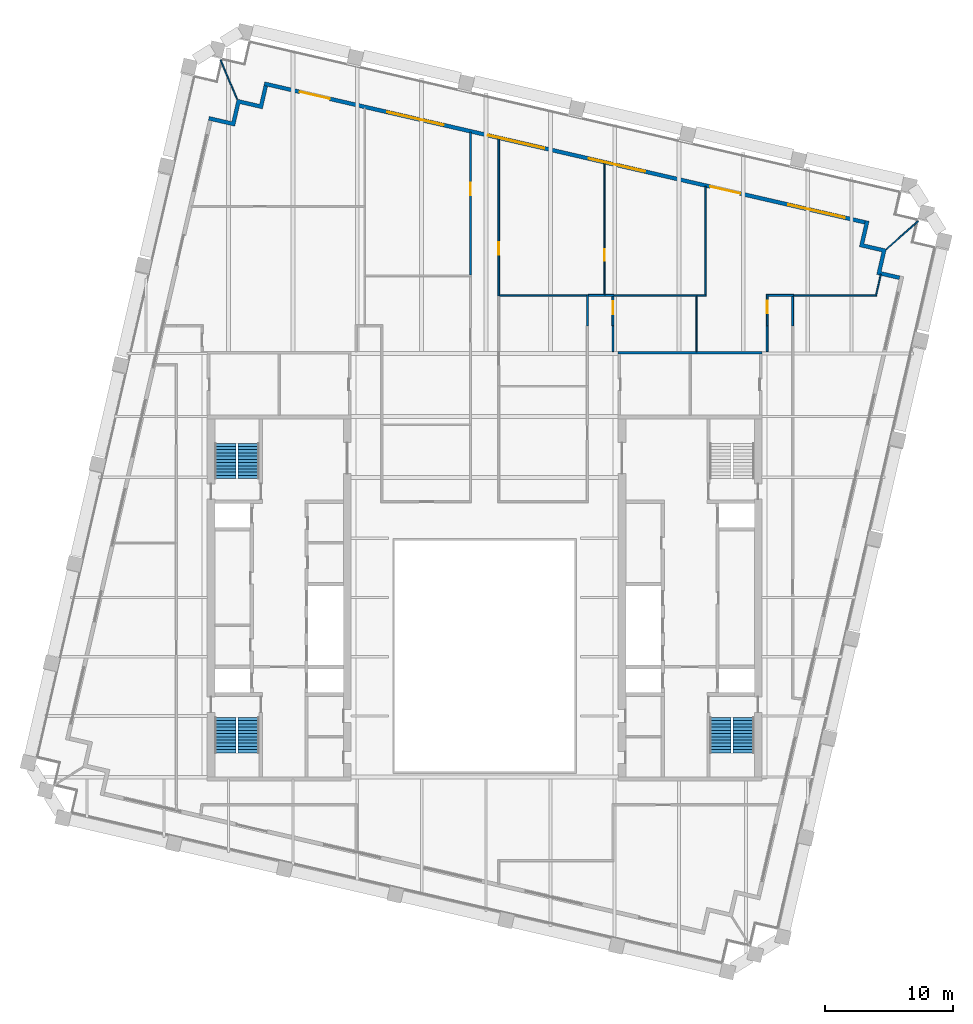
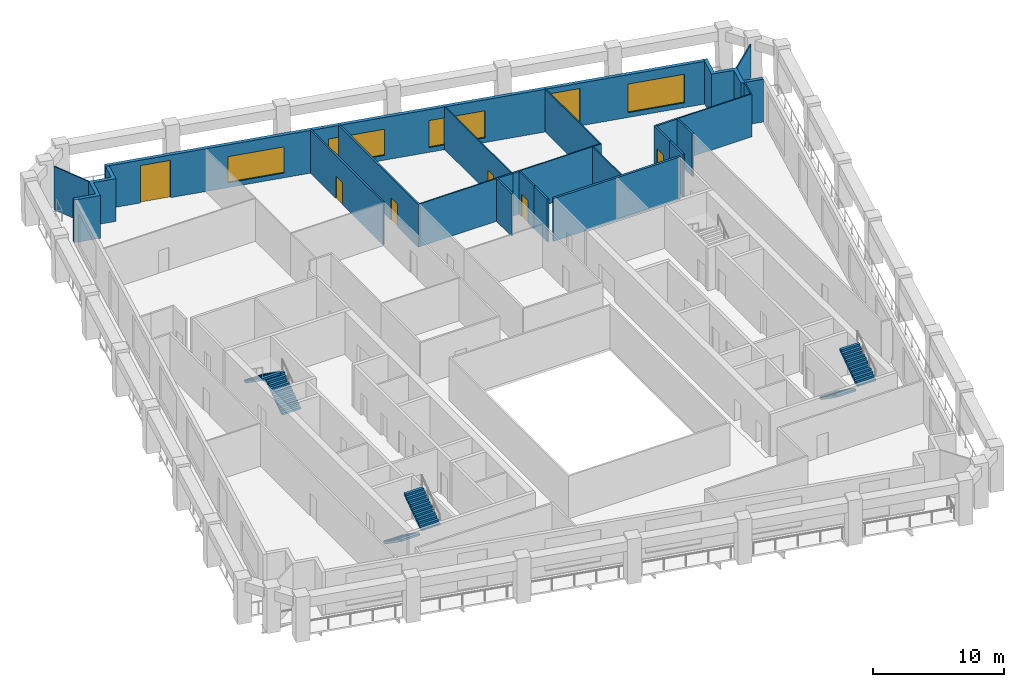
# One storey, part 8 of 11: 25 walls, 7 doors, 6 stair flights, 4 windows, 11 openings, 3 elements without a shape of their own.
"""IFC4 building model written with IfcOpenShell, lengths in metres."""

from ifc_helpers import new_model, si_unit, direction, frame, frame_2d, origin, place, context, subcontext, project, spatial, polyline, rectangle, outline, extrude, material, layer, layer_set, type_object, element, fill, aggregate, save


model = new_model("IFC4")

# Units and contexts
model_context = context("Model", 3, precision=1e-05, world=origin(), true_north=direction((0.0, 1.0)))
body_context = subcontext(model_context, "Body", "Model", "MODEL_VIEW")
ifc_project = project(units=[si_unit("LENGTHUNIT", "METRE"), si_unit("AREAUNIT", "SQUARE_METRE"), si_unit("VOLUMEUNIT", "CUBIC_METRE"), si_unit("PLANEANGLEUNIT", "RADIAN"), si_unit("MASSUNIT", "GRAM", prefix="KILO")], contexts=[model_context])

# Site, building, storey
site_placement = place(None, origin())
site = spatial("IfcSite", under=ifc_project, at=site_placement, CompositionType="ELEMENT")
building_placement = place(site_placement, origin())
building = spatial("IfcBuilding", under=site, at=building_placement, Name="Ogive Exchange Tower", CompositionType="ELEMENT")
storey_placement = place(building_placement, frame((0.0, 0.0, 247.199951171875)))
storey = spatial("IfcBuildingStorey", under=building, at=storey_placement, Name="L53", CompositionType="ELEMENT", Elevation=247.199951171875)

# Wall, opening, door
ifc_material_1 = material(Name="Fire partition EI 60 150")
ifc_layer_1 = layer(ifc_material_1, 0.14990234375)
ifc_layer_set_1 = layer_set([ifc_layer_1], Name="Fire partition EI 60 150")
wall_type_1 = type_object("IfcWallType", Name="Fire partition EI 60 150", PredefinedType="PARTITIONING", material=ifc_layer_set_1)
wall_1_placement = place(storey_placement, frame((-1.10009765625, 36.639892578125, 0.0), z_axis=(0.0, 0.0, 1.0), x_axis=(0.0, 1.0, 0.0)))
wall_1 = element("IfcWall", 1, at=wall_1_placement, inside=storey, type_object=wall_type_1, Name="L53-PWL-026", PredefinedType="PARTITIONING", context=body_context, shape_type="SweptSolid", body=[
    extrude(rectangle(XDim=11.13818359375, YDim=0.14990234375, at=frame_2d((5.569091796875, 0.0))), origin(), (0.0, 0.0, 1.0), 4.0),
])
opening_1_placement = place(wall_1_placement, frame((6.2099609375, 0.0, 0.0)))
opening_1 = element("IfcOpeningElement", 2, at=opening_1_placement, cuts=wall_1, Name="Opening L53-I03", PredefinedType="OPENING", context=body_context, shape_type="SweptSolid", body=[
    extrude(rectangle(XDim=1.0, YDim=2.10009765625, at=frame_2d((0.5, 1.050048828125))), frame((0.0, 0.0849609375, 0.0), z_axis=(0.0, -1.0, 0.0), x_axis=(1.0, 0.0, 0.0)), (0.0, 0.0, 1.0), 0.169921875),
])
ifc_material_2 = material(Name="Fire door FD 30S 1000 x 2100")
door_type_1 = type_object("IfcDoorType", Name="Fire door FD 30S 1000 x 2100", OperationType="NOTDEFINED", PredefinedType="DOOR", material=ifc_material_2)
door_1_placement = place(opening_1_placement, origin())
door_1 = element("IfcDoor", 3, at=door_1_placement, inside=storey, type_object=door_type_1, Name="L53-IDR-003", ObjectType="DT3", OperationType="SINGLE_SWING_RIGHT", OverallHeight=2.10009765625, OverallWidth=1.0, PredefinedType="DOOR", context=body_context, shape_type="SweptSolid", body=[
    extrude(rectangle(XDim=1.0, YDim=2.10009765625, at=frame_2d((0.5, 1.050048828125))), frame((0.0, 0.02490234375, 0.0), z_axis=(0.0, -1.0, 0.0), x_axis=(1.0, 0.0, 0.0)), (0.0, 0.0, 1.0), 0.050048828125),
])
fill(opening_1, door_1)

wall_2_placement = place(storey_placement, frame((1.10009765625, 47.27001953125, 0.0), z_axis=(0.0, 0.0, 1.0), x_axis=(0.0, -1.0, 0.0)))
wall_2 = element("IfcWall", 4, at=wall_2_placement, inside=storey, type_object=wall_type_1, Name="L53-PWL-032", PredefinedType="PARTITIONING", context=body_context, shape_type="SweptSolid", body=[
    extrude(rectangle(XDim=12.25, YDim=0.14990234375, at=frame_2d((6.125, 0.0))), origin(), (0.0, 0.0, 1.0), 4.0),
])
opening_2_placement = place(wall_2_placement, frame((8.050048828125, 0.0, 0.0)))
opening_2 = element("IfcOpeningElement", 5, at=opening_2_placement, cuts=wall_2, Name="Opening L53-I09", PredefinedType="OPENING", context=body_context, shape_type="SweptSolid", body=[
    extrude(rectangle(XDim=1.0, YDim=2.10009765625, at=frame_2d((0.5, 1.050048828125))), frame((0.0, 0.0849609375, 0.0), z_axis=(0.0, -1.0, 0.0), x_axis=(1.0, 0.0, 0.0)), (0.0, 0.0, 1.0), 0.169921875),
])
door_2_placement = place(opening_2_placement, origin())
door_2 = element("IfcDoor", 6, at=door_2_placement, inside=storey, type_object=door_type_1, Name="L53-IDR-009", ObjectType="DT3", OperationType="SINGLE_SWING_LEFT", OverallHeight=2.10009765625, OverallWidth=1.0, PredefinedType="DOOR", context=body_context, shape_type="SweptSolid", body=[
    extrude(rectangle(XDim=1.0, YDim=2.10009765625, at=frame_2d((0.5, 1.050048828125))), frame((0.0, 0.02490234375, 0.0), z_axis=(0.0, -1.0, 0.0), x_axis=(1.0, 0.0, 0.0)), (0.0, 0.0, 1.0), 0.050048828125),
])
fill(opening_2, door_2)

# Walls
wall_3_placement = place(storey_placement, frame((8.010009765625, 32.699951171875, 0.0), z_axis=(0.0, 0.0, 1.0), x_axis=(0.0, 1.0, 0.0)))
element("IfcWall", 7, at=wall_3_placement, inside=storey, type_object=wall_type_1, Name="L53-PWL-035", PredefinedType="PARTITIONING", context=body_context, shape_type="SweptSolid", body=[
    extrude(rectangle(XDim=2.420166015625, YDim=0.14990234375, at=frame_2d((1.2099609375, 0.0))), origin(), (0.0, 0.0, 1.0), 4.0),
])
wall_4_placement = place(storey_placement, frame((8.0849609375, 35.070068359375, 0.0), z_axis=(0.0, 0.0, 1.0), x_axis=(1.0, 0.0, 0.0)))
element("IfcWall", 8, at=wall_4_placement, inside=storey, type_object=wall_type_1, Name="L53-PWL-037", PredefinedType="PARTITIONING", context=body_context, shape_type="SweptSolid", body=[
    extrude(rectangle(XDim=1.304931640625, YDim=0.14990234375, at=frame_2d((0.65234375, 0.0))), origin(), (0.0, 0.0, 1.0), 4.0),
])
wall_5_placement = place(storey_placement, frame((9.389892578125, 35.070068359375, 0.0), z_axis=(0.0, 0.0, 1.0), x_axis=(1.0, 0.0, 0.0)))
element("IfcWall", 9, at=wall_5_placement, inside=storey, type_object=wall_type_1, Name="L53-PWL-038", PredefinedType="PARTITIONING", context=body_context, shape_type="SweptSolid", body=[
    extrude(rectangle(XDim=0.675048828125, YDim=0.14990234375, at=frame_2d((0.33740234375, 0.0))), origin(), (0.0, 0.0, 1.0), 4.0),
])

# Wall, opening, door
wall_6_placement = place(storey_placement, frame((9.989990234375, 34.9951171875, 0.0), z_axis=(0.0, 0.0, 1.0), x_axis=(0.0, -1.0, 0.0)))
wall_6 = element("IfcWall", 10, at=wall_6_placement, inside=storey, type_object=wall_type_1, Name="L53-PWL-040", PredefinedType="PARTITIONING", context=body_context, shape_type="SweptSolid", body=[
    extrude(rectangle(XDim=2.295166015625, YDim=0.14990234375, at=frame_2d((1.1474609375, 0.0))), origin(), (0.0, 0.0, 1.0), 4.0),
])
opening_3_placement = place(wall_6_placement, frame((0.39501953125, 0.0, 0.0)))
opening_3 = element("IfcOpeningElement", 11, at=opening_3_placement, cuts=wall_6, Name="Opening L53-I11", PredefinedType="OPENING", context=body_context, shape_type="SweptSolid", body=[
    extrude(rectangle(XDim=1.0, YDim=2.10009765625, at=frame_2d((0.5, 1.050048828125))), frame((0.0, 0.0849609375, 0.0), z_axis=(0.0, -1.0, 0.0), x_axis=(1.0, 0.0, 0.0)), (0.0, 0.0, 1.0), 0.169921875),
])
door_3_placement = place(opening_3_placement, origin())
door_3 = element("IfcDoor", 12, at=door_3_placement, inside=storey, type_object=door_type_1, Name="L53-IDR-011", ObjectType="DT3", OperationType="SINGLE_SWING_RIGHT", OverallHeight=2.10009765625, OverallWidth=1.0, PredefinedType="DOOR", context=body_context, shape_type="SweptSolid", body=[
    extrude(rectangle(XDim=1.0, YDim=2.10009765625, at=frame_2d((0.5, 1.050048828125))), frame((0.0, 0.02490234375, 0.0), z_axis=(0.0, -1.0, 0.0), x_axis=(1.0, 0.0, 0.0)), (0.0, 0.0, 1.0), 0.050048828125),
])
fill(opening_3, door_3)

# Walls
wall_7_placement = place(storey_placement, frame((10.0, 32.699951171875, 0.0), z_axis=(0.0, 0.0, 1.0), x_axis=(0.0, -1.0, 0.0)))
element("IfcWall", 13, at=wall_7_placement, inside=storey, type_object=wall_type_1, Name="L53-PWL-044", PredefinedType="PARTITIONING", context=body_context, shape_type="SweptSolid", body=[
    extrude(rectangle(XDim=2.0, YDim=0.14990234375, at=frame_2d((1.0, 0.0))), origin(), (0.0, 0.0, 1.0), 4.0),
])
wall_8_placement = place(storey_placement, frame((22.0, 30.68994140625, 0.0), z_axis=(0.0, 0.0, 1.0), x_axis=(0.0, 1.0, 0.0)))
element("IfcWall", 14, at=wall_8_placement, inside=storey, type_object=wall_type_1, Name="L53-PWL-048", PredefinedType="PARTITIONING", context=body_context, shape_type="SweptSolid", body=[
    extrude(rectangle(XDim=2.010009765625, YDim=0.14990234375, at=frame_2d((1.0048828125, 0.0))), origin(), (0.0, 0.0, 1.0), 4.0),
])

# Wall, opening, door
wall_9_placement = place(storey_placement, frame((22.010009765625, 32.699951171875, 0.0), z_axis=(0.0, 0.0, 1.0), x_axis=(0.0, 1.0, 0.0)))
wall_9 = element("IfcWall", 15, at=wall_9_placement, inside=storey, type_object=wall_type_1, Name="L53-PWL-049", PredefinedType="PARTITIONING", context=body_context, shape_type="SweptSolid", body=[
    extrude(rectangle(XDim=2.445068359375, YDim=0.14990234375, at=frame_2d((1.22265625, 0.0))), origin(), (0.0, 0.0, 1.0), 4.0),
])
opening_4_placement = place(wall_9_placement, frame((0.969970703125, 0.0, 0.0)))
opening_4 = element("IfcOpeningElement", 16, at=opening_4_placement, cuts=wall_9, Name="Opening L53-I14", PredefinedType="OPENING", context=body_context, shape_type="SweptSolid", body=[
    extrude(rectangle(XDim=1.0, YDim=2.10009765625, at=frame_2d((0.5, 1.050048828125))), frame((0.0, 0.0849609375, 0.0), z_axis=(0.0, -1.0, 0.0), x_axis=(1.0, 0.0, 0.0)), (0.0, 0.0, 1.0), 0.169921875),
])
door_4_placement = place(opening_4_placement, origin())
door_4 = element("IfcDoor", 17, at=door_4_placement, inside=storey, type_object=door_type_1, Name="L53-IDR-014", ObjectType="DT3", OperationType="SINGLE_SWING_RIGHT", OverallHeight=2.10009765625, OverallWidth=1.0, PredefinedType="DOOR", context=body_context, shape_type="SweptSolid", body=[
    extrude(rectangle(XDim=1.0, YDim=2.10009765625, at=frame_2d((0.5, 1.050048828125))), frame((0.0, 0.02490234375, 0.0), z_axis=(0.0, -1.0, 0.0), x_axis=(1.0, 0.0, 0.0)), (0.0, 0.0, 1.0), 0.050048828125),
])
fill(opening_4, door_4)

# Walls
wall_10_placement = place(storey_placement, frame((22.0849609375, 35.070068359375, 0.0), z_axis=(0.0, 0.0, 1.0), x_axis=(1.0, 0.0, 0.0)))
element("IfcWall", 18, at=wall_10_placement, inside=storey, type_object=wall_type_1, Name="L53-PWL-050", PredefinedType="PARTITIONING", context=body_context, shape_type="SweptSolid", body=[
    extrude(rectangle(XDim=1.97998046875, YDim=0.14990234375, at=frame_2d((0.989990234375, 0.0))), origin(), (0.0, 0.0, 1.0), 4.0),
])
wall_11_placement = place(storey_placement, frame((23.989990234375, 34.9951171875, 0.0), z_axis=(0.0, 0.0, 1.0), x_axis=(0.0, -1.0, 0.0)))
element("IfcWall", 19, at=wall_11_placement, inside=storey, type_object=wall_type_1, Name="L53-PWL-052", PredefinedType="PARTITIONING", context=body_context, shape_type="SweptSolid", body=[
    extrude(rectangle(XDim=2.295166015625, YDim=0.14990234375, at=frame_2d((1.1474609375, 0.0))), origin(), (0.0, 0.0, 1.0), 4.0),
])

# Wall, openings, doors, windows
ifc_material_3 = material(Name="Precast concrete C40/50", Category="concrete")
ifc_layer_2 = layer(ifc_material_3, 0.300048828125)
ifc_layer_set_2 = layer_set([ifc_layer_2], Name="Limestone-faced wall 300")
wall_type_2 = type_object("IfcWallType", Name="Limestone-faced wall 300", PredefinedType="STANDARD", material=ifc_layer_set_2)
wall_12_placement = place(storey_placement, frame((29.6162109375, 40.75830078125, 0.0), z_axis=(0.0, 0.0, 1.0), x_axis=(-0.974370532314, 0.224949029246, 0.0)))
wall_12 = element("IfcWall", 20, at=wall_12_placement, inside=storey, type_object=wall_type_2, Name="External wall N3", PredefinedType="STANDARD", context=body_context, shape_type="SweptSolid", body=[
    extrude(rectangle(XDim=48.000244140625, YDim=0.300048828125, at=frame_2d((24.0, 0.0))), origin(), (0.0, 0.0, 1.0), 4.0),
])
opening_5_placement = place(wall_12_placement, frame((1.625, 0.0, 0.449951171875)))
opening_5 = element("IfcOpeningElement", 21, at=opening_5_placement, cuts=wall_12, Name="Opening W1J", PredefinedType="OPENING", context=body_context, shape_type="SweptSolid", body=[
    extrude(rectangle(XDim=4.5, YDim=2.675048828125, at=frame_2d((2.25, 1.33740234375))), frame((0.0, 0.159912109375, 0.0), z_axis=(0.0, -1.0, 0.0), x_axis=(1.0, 0.0, 0.0)), (0.0, 0.0, 1.0), 0.320068359375),
])
opening_6_placement = place(wall_12_placement, frame((9.97509765625, 0.0, 0.0)))
opening_6 = element("IfcOpeningElement", 22, at=opening_6_placement, cuts=wall_12, Name="Opening D1", PredefinedType="OPENING", context=body_context, shape_type="SweptSolid", body=[
    extrude(rectangle(XDim=2.39990234375, YDim=3.5, at=frame_2d((1.199951171875, 1.75))), frame((0.0, 0.159912109375, 0.0), z_axis=(0.0, -1.0, 0.0), x_axis=(1.0, 0.0, 0.0)), (0.0, 0.0, 1.0), 0.320068359375),
])
opening_7_placement = place(wall_12_placement, frame((17.574951171875, 0.0, 0.449951171875)))
opening_7 = element("IfcOpeningElement", 23, at=opening_7_placement, cuts=wall_12, Name="Opening W1N", PredefinedType="OPENING", context=body_context, shape_type="SweptSolid", body=[
    extrude(rectangle(XDim=4.5, YDim=2.52490234375, at=frame_2d((2.25, 1.262451171875))), frame((0.0, 0.159912109375, 0.0), z_axis=(0.0, -1.0, 0.0), x_axis=(1.0, 0.0, 0.0)), (0.0, 0.0, 1.0), 0.320068359375),
])
opening_8_placement = place(wall_12_placement, frame((25.625, 0.0, 0.449951171875)))
opening_8 = element("IfcOpeningElement", 24, at=opening_8_placement, cuts=wall_12, Name="Opening W1Q", PredefinedType="OPENING", context=body_context, shape_type="SweptSolid", body=[
    extrude(rectangle(XDim=4.5, YDim=2.449951171875, at=frame_2d((2.25, 1.22509765625))), frame((0.0, 0.159912109375, 0.0), z_axis=(0.0, -1.0, 0.0), x_axis=(1.0, 0.0, 0.0)), (0.0, 0.0, 1.0), 0.320068359375),
])
opening_9_placement = place(wall_12_placement, frame((33.675048828125, 0.0, 0.449951171875)))
opening_9 = element("IfcOpeningElement", 25, at=opening_9_placement, cuts=wall_12, Name="Opening W1Q", PredefinedType="OPENING", context=body_context, shape_type="SweptSolid", body=[
    extrude(rectangle(XDim=4.5, YDim=2.449951171875, at=frame_2d((2.25, 1.22509765625))), frame((0.0, 0.159912109375, 0.0), z_axis=(0.0, -1.0, 0.0), x_axis=(1.0, 0.0, 0.0)), (0.0, 0.0, 1.0), 0.320068359375),
])
opening_10_placement = place(wall_12_placement, frame((42.77490234375, 0.0, 0.0)))
opening_10 = element("IfcOpeningElement", 26, at=opening_10_placement, cuts=wall_12, Name="Opening D1", PredefinedType="OPENING", context=body_context, shape_type="SweptSolid", body=[
    extrude(rectangle(XDim=2.39990234375, YDim=3.5, at=frame_2d((1.199951171875, 1.75))), frame((0.0, 0.159912109375, 0.0), z_axis=(0.0, -1.0, 0.0), x_axis=(1.0, 0.0, 0.0)), (0.0, 0.0, 1.0), 0.320068359375),
])
ifc_material_4 = material(Name="Clear glass in bronze frame", Category="glass")
door_type_2 = type_object("IfcDoorType", Name="Sliding loggia door 2400 x 3500", OperationType="DOUBLE_DOOR_SLIDING", PredefinedType="DOOR", material=ifc_material_4)
door_5_placement = place(opening_6_placement, origin())
door_5 = element("IfcDoor", 27, at=door_5_placement, inside=storey, type_object=door_type_2, Name="Loggia door N01", OperationType="DOUBLE_DOOR_SLIDING", OverallHeight=3.5, OverallWidth=2.39990234375, PredefinedType="DOOR", context=body_context, shape_type="SweptSolid", body=[
    extrude(rectangle(XDim=2.39990234375, YDim=3.5, at=frame_2d((1.199951171875, 1.75))), frame((0.0, 0.02490234375, 0.0), z_axis=(0.0, -1.0, 0.0), x_axis=(1.0, 0.0, 0.0)), (0.0, 0.0, 1.0), 0.050048828125),
])
fill(opening_6, door_5)
door_6_placement = place(opening_10_placement, origin())
door_6 = element("IfcDoor", 28, at=door_6_placement, inside=storey, type_object=door_type_2, Name="Loggia door N05", OperationType="DOUBLE_DOOR_SLIDING", OverallHeight=3.5, OverallWidth=2.39990234375, PredefinedType="DOOR", context=body_context, shape_type="SweptSolid", body=[
    extrude(rectangle(XDim=2.39990234375, YDim=3.5, at=frame_2d((1.199951171875, 1.75))), frame((0.0, 0.02490234375, 0.0), z_axis=(0.0, -1.0, 0.0), x_axis=(1.0, 0.0, 0.0)), (0.0, 0.0, 1.0), 0.050048828125),
])
fill(opening_10, door_6)
window_type_1 = type_object("IfcWindowType", Name="Twin lancet window 4500 x 2450", PartitioningType="DOUBLE_PANEL_VERTICAL", PredefinedType="WINDOW", material=ifc_material_4)
window_1_placement = place(opening_8_placement, origin())
window_1 = element("IfcWindow", 29, at=window_1_placement, inside=storey, type_object=window_type_1, Name="Window N03", OverallHeight=2.449951171875, OverallWidth=4.5, PartitioningType="DOUBLE_PANEL_VERTICAL", PredefinedType="WINDOW", context=body_context, shape_type="SweptSolid", body=[
    extrude(rectangle(XDim=4.5, YDim=2.449951171875, at=frame_2d((2.25, 1.22509765625))), frame((0.0, 0.030029296875, 0.0), z_axis=(0.0, -1.0, 0.0), x_axis=(1.0, 0.0, 0.0)), (0.0, 0.0, 1.0), 0.06005859375),
])
fill(opening_8, window_1)
window_2_placement = place(opening_9_placement, origin())
window_2 = element("IfcWindow", 30, at=window_2_placement, inside=storey, type_object=window_type_1, Name="Window N04", OverallHeight=2.449951171875, OverallWidth=4.5, PartitioningType="DOUBLE_PANEL_VERTICAL", PredefinedType="WINDOW", context=body_context, shape_type="SweptSolid", body=[
    extrude(rectangle(XDim=4.5, YDim=2.449951171875, at=frame_2d((2.25, 1.22509765625))), frame((0.0, 0.030029296875, 0.0), z_axis=(0.0, -1.0, 0.0), x_axis=(1.0, 0.0, 0.0)), (0.0, 0.0, 1.0), 0.06005859375),
])
fill(opening_9, window_2)
window_type_2 = type_object("IfcWindowType", Name="Twin lancet window 4500 x 2525", PartitioningType="DOUBLE_PANEL_VERTICAL", PredefinedType="WINDOW", material=ifc_material_4)
window_3_placement = place(opening_7_placement, origin())
window_3 = element("IfcWindow", 31, at=window_3_placement, inside=storey, type_object=window_type_2, Name="Window N02", OverallHeight=2.52490234375, OverallWidth=4.5, PartitioningType="DOUBLE_PANEL_VERTICAL", PredefinedType="WINDOW", context=body_context, shape_type="SweptSolid", body=[
    extrude(rectangle(XDim=4.5, YDim=2.52490234375, at=frame_2d((2.25, 1.262451171875))), frame((0.0, 0.030029296875, 0.0), z_axis=(0.0, -1.0, 0.0), x_axis=(1.0, 0.0, 0.0)), (0.0, 0.0, 1.0), 0.06005859375),
])
fill(opening_7, window_3)
window_type_3 = type_object("IfcWindowType", Name="Twin lancet window 4500 x 2675", PartitioningType="DOUBLE_PANEL_VERTICAL", PredefinedType="WINDOW", material=ifc_material_4)
window_4_placement = place(opening_5_placement, origin())
window_4 = element("IfcWindow", 32, at=window_4_placement, inside=storey, type_object=window_type_3, Name="Window N00", OverallHeight=2.675048828125, OverallWidth=4.5, PartitioningType="DOUBLE_PANEL_VERTICAL", PredefinedType="WINDOW", context=body_context, shape_type="SweptSolid", body=[
    extrude(rectangle(XDim=4.5, YDim=2.675048828125, at=frame_2d((2.25, 1.33740234375))), frame((0.0, 0.030029296875, 0.0), z_axis=(0.0, -1.0, 0.0), x_axis=(1.0, 0.0, 0.0)), (0.0, 0.0, 1.0), 0.06005859375),
])
fill(opening_5, window_4)

# Walls
wall_13_placement = place(storey_placement, origin())
element("IfcWall", 33, at=wall_13_placement, inside=storey, type_object=wall_type_2, Name="External corner wall C2", PredefinedType="STANDARD", context=body_context, shape_type="SweptSolid", body=[
    extrude(outline(polyline([(30.931396484375, 38.453369140625), (29.177490234375, 38.8583984375), (29.64990234375, 40.904541015625), (29.942138671875, 40.8369140625), (29.537109375, 39.0830078125), (31.291015625, 38.67822265625), (30.88623046875, 36.92431640625), (32.34765625, 36.5869140625), (32.2802734375, 36.294677734375), (30.5263671875, 36.699462890625), (30.931396484375, 38.453369140625)])), origin(), (0.0, 0.0, 1.0), 4.0),
])
wall_14_placement = place(storey_placement, origin())
element("IfcWall", 34, at=wall_14_placement, inside=storey, type_object=wall_type_2, Name="External corner wall C3", PredefinedType="STANDARD", context=body_context, shape_type="SweptSolid", body=[
    extrude(outline(polyline([(-21.5048828125, 48.7119140625), (-21.4375, 49.004150390625), (-19.68359375, 48.599365234375), (-19.27880859375, 50.353271484375), (-17.52490234375, 49.9482421875), (-17.1875, 51.409912109375), (-16.89501953125, 51.34228515625), (-17.300048828125, 49.58837890625), (-19.053955078125, 49.993408203125), (-19.458740234375, 48.239501953125), (-21.5048828125, 48.7119140625)])), origin(), (0.0, 0.0, 1.0), 4.0),
])
ifc_material_5 = material(Name="Laminated safety glass in steel frame", Category="steel")
ifc_layer_3 = layer(ifc_material_5, 0.10009765625)
ifc_layer_set_3 = layer_set([ifc_layer_3], Name="Loggia end screen 100")
wall_type_3 = type_object("IfcWallType", Name="Loggia end screen 100", PredefinedType="STANDARD", material=ifc_layer_set_3)
for number, where, z_axis, x_axis, name in (
    (35, (31.291015625, 38.67822265625, -0.050048828125), (0.0, 0.0, 1.0), (0.752462268259, 0.658635358029, 0.0), "Loggia end screen C2"),
    (36, (-19.27880859375, 50.353271484375, -0.050048828125), (0.0, 0.0, 1.0), (-0.38756152996, 0.921843837369, 0.0), "Loggia end screen C3"),
):
    element("IfcWall", number, at=place(storey_placement, frame(where, z_axis=z_axis, x_axis=x_axis)), inside=storey, type_object=wall_type_3, Name=name, PredefinedType="STANDARD", context=body_context, shape_type="SweptSolid", body=[
        extrude(rectangle(XDim=3.3046875, YDim=0.10009765625, at=frame_2d((1.65234375, 0.0))), origin(), (0.0, 0.0, 1.0), 4.050048828125),
    ])
ifc_material_6 = material(Name="Partition 100 gypsum")
ifc_layer_4 = layer(ifc_material_6, 0.10009765625)
ifc_layer_set_4 = layer_set([ifc_layer_4], Name="Partition 100 gypsum")
wall_type_4 = type_object("IfcWallType", Name="Partition 100 gypsum", PredefinedType="PARTITIONING", material=ifc_layer_set_4)
wall_15_placement = place(storey_placement, frame((7.93505859375, 35.070068359375, 0.0), z_axis=(0.0, 0.0, 1.0), x_axis=(-1.0, 0.0, 0.0)))
element("IfcWall", 37, at=wall_15_placement, inside=storey, type_object=wall_type_4, Name="L53-PWL-036", PredefinedType="PARTITIONING", context=body_context, shape_type="SweptSolid", body=[
    extrude(rectangle(XDim=6.760009765625, YDim=0.10009765625, at=frame_2d((3.3798828125, 0.0))), origin(), (0.0, 0.0, 1.0), 4.0),
])

# Wall, opening, door
wall_16_placement = place(storey_placement, frame((9.340087890625, 45.367919921875, 0.0), z_axis=(0.0, 0.0, 1.0), x_axis=(0.0, -1.0, 0.0)))
wall_16 = element("IfcWall", 38, at=wall_16_placement, inside=storey, type_object=wall_type_4, Name="L53-PWL-039", PredefinedType="PARTITIONING", context=body_context, shape_type="SweptSolid", body=[
    extrude(rectangle(XDim=10.222900390625, YDim=0.10009765625, at=frame_2d((5.111328125, 0.0))), origin(), (0.0, 0.0, 1.0), 4.0),
])
opening_11_placement = place(wall_16_placement, frame((6.697998046875, 0.0, 0.0)))
opening_11 = element("IfcOpeningElement", 39, at=opening_11_placement, cuts=wall_16, Name="Opening L53-I13", PredefinedType="OPENING", context=body_context, shape_type="SweptSolid", body=[
    extrude(rectangle(XDim=0.89990234375, YDim=2.10009765625, at=frame_2d((0.449951171875, 1.050048828125))), frame((0.0, 0.06005859375, 0.0), z_axis=(0.0, -1.0, 0.0), x_axis=(1.0, 0.0, 0.0)), (0.0, 0.0, 1.0), 0.1201171875),
])
ifc_material_7 = material(Name="Door 900 x 2100")
door_type_3 = type_object("IfcDoorType", Name="Door 900 x 2100", OperationType="NOTDEFINED", PredefinedType="DOOR", material=ifc_material_7)
door_7_placement = place(opening_11_placement, origin())
door_7 = element("IfcDoor", 40, at=door_7_placement, inside=storey, type_object=door_type_3, Name="L53-IDR-013", ObjectType="DT1", OperationType="SINGLE_SWING_LEFT", OverallHeight=2.10009765625, OverallWidth=0.89990234375, PredefinedType="DOOR", context=body_context, shape_type="SweptSolid", body=[
    extrude(rectangle(XDim=0.89990234375, YDim=2.10009765625, at=frame_2d((0.449951171875, 1.050048828125))), frame((0.0, 0.02490234375, 0.0), z_axis=(0.0, -1.0, 0.0), x_axis=(1.0, 0.0, 0.0)), (0.0, 0.0, 1.0), 0.050048828125),
])
fill(opening_11, door_7)

# Walls
wall_17_placement = place(storey_placement, frame((10.06494140625, 35.070068359375, 0.0), z_axis=(0.0, 0.0, 1.0), x_axis=(1.0, 0.0, 0.0)))
element("IfcWall", 41, at=wall_17_placement, inside=storey, type_object=wall_type_4, Name="L53-PWL-041", PredefinedType="PARTITIONING", context=body_context, shape_type="SweptSolid", body=[
    extrude(rectangle(XDim=6.485107421875, YDim=0.10009765625, at=frame_2d((3.24267578125, 0.0))), origin(), (0.0, 0.0, 1.0), 4.0),
])
wall_18_placement = place(storey_placement, frame((16.5, 35.02001953125, 0.0), z_axis=(0.0, 0.0, 1.0), x_axis=(0.0, -1.0, 0.0)))
element("IfcWall", 42, at=wall_18_placement, inside=storey, type_object=wall_type_4, Name="L53-PWL-045", PredefinedType="PARTITIONING", context=body_context, shape_type="SweptSolid", body=[
    extrude(rectangle(XDim=4.320068359375, YDim=0.10009765625, at=frame_2d((2.16015625, 0.0))), origin(), (0.0, 0.0, 1.0), 4.0),
])
wall_19_placement = place(storey_placement, frame((17.239990234375, 35.070068359375, 0.0), z_axis=(0.0, 0.0, 1.0), x_axis=(-1.0, 0.0, 0.0)))
element("IfcWall", 43, at=wall_19_placement, inside=storey, type_object=wall_type_4, Name="L53-PWL-046", PredefinedType="PARTITIONING", context=body_context, shape_type="SweptSolid", body=[
    extrude(rectangle(XDim=0.68994140625, YDim=0.10009765625, at=frame_2d((0.344970703125, 0.0))), origin(), (0.0, 0.0, 1.0), 4.0),
])
wall_20_placement = place(storey_placement, frame((17.18994140625, 43.555908203125, 0.0), z_axis=(0.0, 0.0, 1.0), x_axis=(0.0, -1.0, 0.0)))
element("IfcWall", 44, at=wall_20_placement, inside=storey, type_object=wall_type_4, Name="L53-PWL-047", PredefinedType="PARTITIONING", context=body_context, shape_type="SweptSolid", body=[
    extrude(rectangle(XDim=8.435791015625, YDim=0.10009765625, at=frame_2d((4.2177734375, 0.0))), origin(), (0.0, 0.0, 1.0), 4.0),
])
wall_21_placement = place(storey_placement, frame((24.06494140625, 35.070068359375, 0.0), z_axis=(0.0, 0.0, 1.0), x_axis=(1.0, 0.0, 0.0)))
element("IfcWall", 45, at=wall_21_placement, inside=storey, type_object=wall_type_4, Name="L53-PWL-053", PredefinedType="PARTITIONING", context=body_context, shape_type="SweptSolid", body=[
    extrude(rectangle(XDim=6.465087890625, YDim=0.10009765625, at=frame_2d((3.232421875, 0.0))), origin(), (0.0, 0.0, 1.0), 4.0),
])
wall_22_placement = place(storey_placement, frame((30.490966796875, 35.118896484375, 0.0), z_axis=(0.0, 0.0, 1.0), x_axis=(0.221461033886, 0.975169221453, 0.0)))
element("IfcWall", 46, at=wall_22_placement, inside=storey, type_object=wall_type_4, Name="L53-PWL-056", PredefinedType="PARTITIONING", context=body_context, shape_type="SweptSolid", body=[
    extrude(rectangle(XDim=1.648193359375, YDim=0.10009765625, at=frame_2d((0.82421875, 0.0))), origin(), (0.0, 0.0, 1.0), 4.0),
])
ifc_material_8 = material(Name="Concrete C70/85", Category="concrete")
ifc_layer_5 = layer(ifc_material_8, 0.199951171875)
ifc_layer_set_5 = layer_set([ifc_layer_5], Name="RC core wall 200 C70/85")
wall_type_5 = type_object("IfcWallType", Name="RC core wall 200 C70/85", PredefinedType="SHEAR", material=ifc_layer_set_5)
wall_23_placement = place(storey_placement, frame((10.39990234375, 30.60009765625, 0.0), z_axis=(0.0, 0.0, 1.0), x_axis=(1.0, 0.0, 0.0)))
element("IfcWall", 47, at=wall_23_placement, inside=storey, type_object=wall_type_5, Name="E annex N end wall", PredefinedType="SHEAR", context=body_context, shape_type="SweptSolid", body=[
    extrude(rectangle(XDim=11.2001953125, YDim=0.199951171875, at=frame_2d((5.60009765625, 0.0))), origin(), (0.0, 0.0, 1.0), 4.0),
])

# Stair, stair flights
ifc_material_9 = material(Name="Concrete C40/50", Category="concrete")
stair_type = type_object("IfcStairType", Name="Exit stair 1650 wide", PredefinedType="HALF_TURN_STAIR", material=ifc_material_9)
stair_1_placement = place(storey_placement, origin())
stair_1 = element("IfcStair", 48, at=stair_1_placement, inside=storey, type_object=stair_type, Name="L53 exit stair ST1", PredefinedType="HALF_TURN_STAIR")
stair_flight_type = type_object("IfcStairFlightType", Name="Stair flight 1650 wide", PredefinedType="STRAIGHT", material=ifc_material_9)
stair_flight_1_placement = place(storey_placement, frame((-20.175048828125, 2.199951171875, 0.0), z_axis=(0.0, 0.0, 1.0), x_axis=(0.0, -1.0, 0.0)))
stair_flight_1 = element("IfcStairFlight", 49, at=stair_flight_1_placement, type_object=stair_flight_type, Name="ST1 flight 1", NumberOfRisers=12, NumberOfTreads=11, PredefinedType="STRAIGHT", RiserHeight=0.175, TreadLength=0.25, context=body_context, shape_type="SweptSolid", body=[
    extrude(outline(polyline([(0.0, 0.0), (0.0, 0.175048828125), (0.25, 0.175048828125), (0.25, 0.35009765625), (0.5, 0.35009765625), (0.5, 0.52490234375), (0.75, 0.52490234375), (0.75, 0.699951171875), (1.0, 0.699951171875), (1.0, 0.875), (1.25, 0.875), (1.25, 1.050048828125), (1.5, 1.050048828125), (1.5, 1.22509765625), (1.75, 1.22509765625), (1.75, 1.39990234375), (2.0, 1.39990234375), (2.0, 1.574951171875), (2.25, 1.574951171875), (2.25, 1.75), (2.5, 1.75), (2.5, 1.925048828125), (2.75, 1.925048828125), (2.75, 2.10009765625), (2.75, 1.741943359375), (0.261474609375, 0.0), (0.0, 0.0)])), frame((0.0, 0.824951171875, 0.0), z_axis=(0.0, -1.0, 0.0), x_axis=(1.0, 0.0, 0.0)), (0.0, 0.0, 1.0), 1.64990234375),
])
stair_flight_2_placement = place(storey_placement, frame((-18.375, -0.550048828125, 2.10009765625), z_axis=(0.0, 0.0, 1.0), x_axis=(0.0, 1.0, 0.0)))
stair_flight_2 = element("IfcStairFlight", 50, at=stair_flight_2_placement, type_object=stair_flight_type, Name="ST1 flight 2", NumberOfRisers=12, NumberOfTreads=11, PredefinedType="STRAIGHT", RiserHeight=0.175, TreadLength=0.25, context=body_context, shape_type="SweptSolid", body=[
    extrude(outline(polyline([(0.0, 0.0), (0.0, 0.175048828125), (0.25, 0.175048828125), (0.25, 0.35009765625), (0.5, 0.35009765625), (0.5, 0.52490234375), (0.75, 0.52490234375), (0.75, 0.699951171875), (1.0, 0.699951171875), (1.0, 0.875), (1.25, 0.875), (1.25, 1.050048828125), (1.5, 1.050048828125), (1.5, 1.22509765625), (1.75, 1.22509765625), (1.75, 1.39990234375), (2.0, 1.39990234375), (2.0, 1.574951171875), (2.25, 1.574951171875), (2.25, 1.75), (2.5, 1.75), (2.5, 1.925048828125), (2.75, 1.925048828125), (2.75, 2.10009765625), (2.75, 1.741943359375), (0.261474609375, 0.0), (0.0, 0.0)])), frame((0.0, 0.824951171875, 0.0), z_axis=(0.0, -1.0, 0.0), x_axis=(1.0, 0.0, 0.0)), (0.0, 0.0, 1.0), 1.64990234375),
])
aggregate(stair_1, [stair_flight_1, stair_flight_2])

stair_2_placement = place(storey_placement, origin())
stair_2 = element("IfcStair", 51, at=stair_2_placement, inside=storey, type_object=stair_type, Name="L53 exit stair ST2", PredefinedType="HALF_TURN_STAIR")
stair_flight_3_placement = place(storey_placement, frame((-18.375, 20.800048828125, 0.0), z_axis=(0.0, 0.0, 1.0), x_axis=(0.0, 1.0, 0.0)))
stair_flight_3 = element("IfcStairFlight", 52, at=stair_flight_3_placement, type_object=stair_flight_type, Name="ST2 flight 1", NumberOfRisers=12, NumberOfTreads=11, PredefinedType="STRAIGHT", RiserHeight=0.175, TreadLength=0.25, context=body_context, shape_type="SweptSolid", body=[
    extrude(outline(polyline([(0.0, 0.0), (0.0, 0.175048828125), (0.25, 0.175048828125), (0.25, 0.35009765625), (0.5, 0.35009765625), (0.5, 0.52490234375), (0.75, 0.52490234375), (0.75, 0.699951171875), (1.0, 0.699951171875), (1.0, 0.875), (1.25, 0.875), (1.25, 1.050048828125), (1.5, 1.050048828125), (1.5, 1.22509765625), (1.75, 1.22509765625), (1.75, 1.39990234375), (2.0, 1.39990234375), (2.0, 1.574951171875), (2.25, 1.574951171875), (2.25, 1.75), (2.5, 1.75), (2.5, 1.925048828125), (2.75, 1.925048828125), (2.75, 2.10009765625), (2.75, 1.741943359375), (0.261474609375, 0.0), (0.0, 0.0)])), frame((0.0, 0.824951171875, 0.0), z_axis=(0.0, -1.0, 0.0), x_axis=(1.0, 0.0, 0.0)), (0.0, 0.0, 1.0), 1.64990234375),
])
stair_flight_4_placement = place(storey_placement, frame((-20.175048828125, 23.550048828125, 2.10009765625), z_axis=(0.0, 0.0, 1.0), x_axis=(0.0, -1.0, 0.0)))
stair_flight_4 = element("IfcStairFlight", 53, at=stair_flight_4_placement, type_object=stair_flight_type, Name="ST2 flight 2", NumberOfRisers=12, NumberOfTreads=11, PredefinedType="STRAIGHT", RiserHeight=0.175, TreadLength=0.25, context=body_context, shape_type="SweptSolid", body=[
    extrude(outline(polyline([(0.0, 0.0), (0.0, 0.175048828125), (0.25, 0.175048828125), (0.25, 0.35009765625), (0.5, 0.35009765625), (0.5, 0.52490234375), (0.75, 0.52490234375), (0.75, 0.699951171875), (1.0, 0.699951171875), (1.0, 0.875), (1.25, 0.875), (1.25, 1.050048828125), (1.5, 1.050048828125), (1.5, 1.22509765625), (1.75, 1.22509765625), (1.75, 1.39990234375), (2.0, 1.39990234375), (2.0, 1.574951171875), (2.25, 1.574951171875), (2.25, 1.75), (2.5, 1.75), (2.5, 1.925048828125), (2.75, 1.925048828125), (2.75, 2.10009765625), (2.75, 1.741943359375), (0.261474609375, 0.0), (0.0, 0.0)])), frame((0.0, 0.824951171875, 0.0), z_axis=(0.0, -1.0, 0.0), x_axis=(1.0, 0.0, 0.0)), (0.0, 0.0, 1.0), 1.64990234375),
])
aggregate(stair_2, [stair_flight_3, stair_flight_4])

stair_3_placement = place(storey_placement, origin())
stair_3 = element("IfcStair", 54, at=stair_3_placement, inside=storey, type_object=stair_type, Name="L53 exit stair ST3", PredefinedType="HALF_TURN_STAIR")
stair_flight_5_placement = place(storey_placement, frame((18.375, 2.199951171875, 0.0), z_axis=(0.0, 0.0, 1.0), x_axis=(0.0, -1.0, 0.0)))
stair_flight_5 = element("IfcStairFlight", 55, at=stair_flight_5_placement, type_object=stair_flight_type, Name="ST3 flight 1", NumberOfRisers=12, NumberOfTreads=11, PredefinedType="STRAIGHT", RiserHeight=0.175, TreadLength=0.25, context=body_context, shape_type="SweptSolid", body=[
    extrude(outline(polyline([(0.0, 0.0), (0.0, 0.175048828125), (0.25, 0.175048828125), (0.25, 0.35009765625), (0.5, 0.35009765625), (0.5, 0.52490234375), (0.75, 0.52490234375), (0.75, 0.699951171875), (1.0, 0.699951171875), (1.0, 0.875), (1.25, 0.875), (1.25, 1.050048828125), (1.5, 1.050048828125), (1.5, 1.22509765625), (1.75, 1.22509765625), (1.75, 1.39990234375), (2.0, 1.39990234375), (2.0, 1.574951171875), (2.25, 1.574951171875), (2.25, 1.75), (2.5, 1.75), (2.5, 1.925048828125), (2.75, 1.925048828125), (2.75, 2.10009765625), (2.75, 1.741943359375), (0.261474609375, 0.0), (0.0, 0.0)])), frame((0.0, 0.824951171875, 0.0), z_axis=(0.0, -1.0, 0.0), x_axis=(1.0, 0.0, 0.0)), (0.0, 0.0, 1.0), 1.64990234375),
])
stair_flight_6_placement = place(storey_placement, frame((20.175048828125, -0.550048828125, 2.10009765625), z_axis=(0.0, 0.0, 1.0), x_axis=(0.0, 1.0, 0.0)))
stair_flight_6 = element("IfcStairFlight", 56, at=stair_flight_6_placement, type_object=stair_flight_type, Name="ST3 flight 2", NumberOfRisers=12, NumberOfTreads=11, PredefinedType="STRAIGHT", RiserHeight=0.175, TreadLength=0.25, context=body_context, shape_type="SweptSolid", body=[
    extrude(outline(polyline([(0.0, 0.0), (0.0, 0.175048828125), (0.25, 0.175048828125), (0.25, 0.35009765625), (0.5, 0.35009765625), (0.5, 0.52490234375), (0.75, 0.52490234375), (0.75, 0.699951171875), (1.0, 0.699951171875), (1.0, 0.875), (1.25, 0.875), (1.25, 1.050048828125), (1.5, 1.050048828125), (1.5, 1.22509765625), (1.75, 1.22509765625), (1.75, 1.39990234375), (2.0, 1.39990234375), (2.0, 1.574951171875), (2.25, 1.574951171875), (2.25, 1.75), (2.5, 1.75), (2.5, 1.925048828125), (2.75, 1.925048828125), (2.75, 2.10009765625), (2.75, 1.741943359375), (0.261474609375, 0.0), (0.0, 0.0)])), frame((0.0, 0.824951171875, 0.0), z_axis=(0.0, -1.0, 0.0), x_axis=(1.0, 0.0, 0.0)), (0.0, 0.0, 1.0), 1.64990234375),
])
aggregate(stair_3, [stair_flight_5, stair_flight_6])

save(model, "model.ifc")
